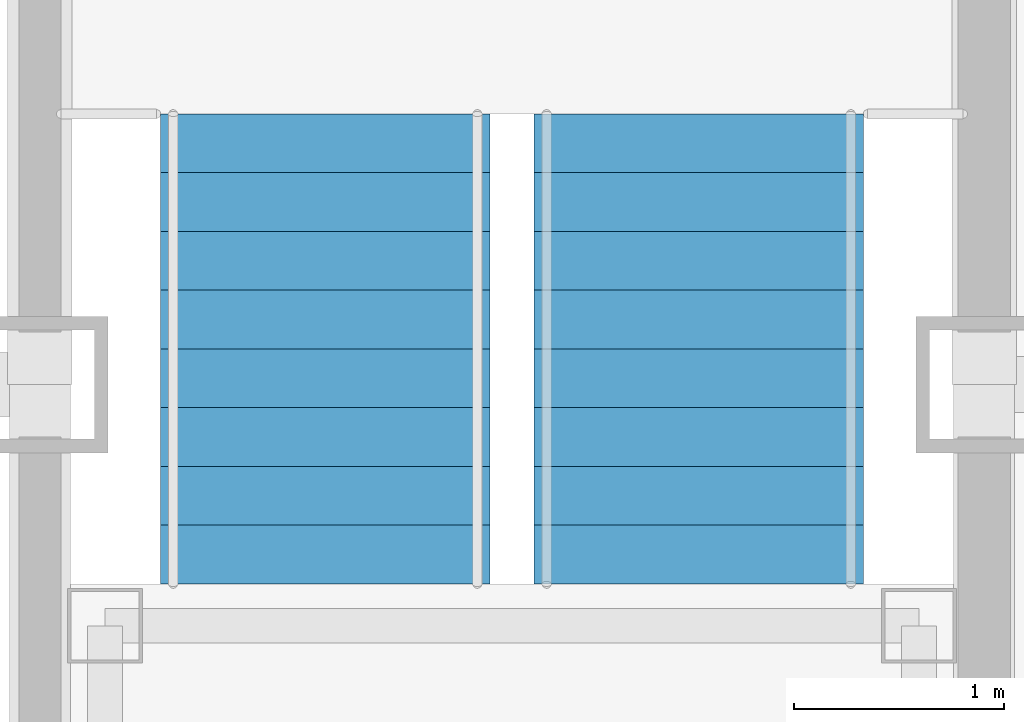
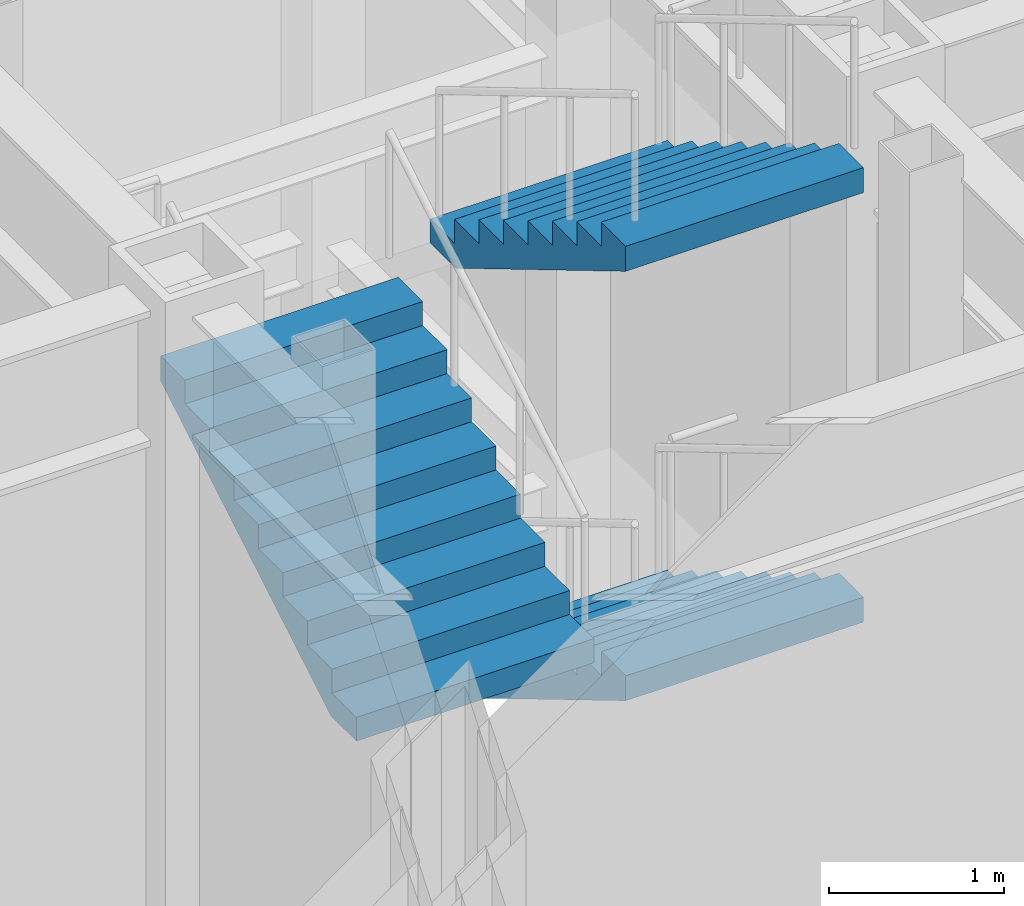
# One storey, part 20 of 28: 3 stair flights, 1 element without a shape of its own.
"""IFC4 building model written with IfcOpenShell, lengths in metres."""

from ifc_helpers import new_model, si_unit, direction, frame, origin, place, context, subcontext, project, spatial, faceted_brep, material, type_object, element, aggregate, save


model = new_model("IFC4")

# Units and contexts
model_context = context("Model", 3, precision=1e-05, world=origin(), true_north=direction((0.0, 1.0)))
body_context = subcontext(model_context, "Body", "Model", "MODEL_VIEW")
ifc_project = project(units=[si_unit("LENGTHUNIT", "METRE"), si_unit("AREAUNIT", "SQUARE_METRE"), si_unit("VOLUMEUNIT", "CUBIC_METRE"), si_unit("PLANEANGLEUNIT", "RADIAN"), si_unit("MASSUNIT", "GRAM", prefix="KILO")], contexts=[model_context])

# Site, building, storey
site_placement = place(None, origin())
site = spatial("IfcSite", under=ifc_project, at=site_placement, CompositionType="ELEMENT")
building_placement = place(site_placement, origin())
building = spatial("IfcBuilding", under=site, at=building_placement, Name="Chuquiago Exchange Tower", CompositionType="ELEMENT")
storey_placement = place(building_placement, frame((0.0, 0.0, 174.0)))
storey = spatial("IfcBuildingStorey", under=building, at=storey_placement, Name="L38", CompositionType="ELEMENT", Elevation=174.0)

# Stair, stair flights
ifc_material_1 = material(Name="Concrete C30/37, precast", Category="concrete")
stair_type = type_object("IfcStairType", Name="ST2 double half-turn stair 6000", PredefinedType="DOUBLE_RETURN_STAIR", material=ifc_material_1)
stair_placement = place(storey_placement, origin())
stair = element("IfcStair", 1, at=stair_placement, inside=storey, type_object=stair_type, Name="Stair ST2 L38", PredefinedType="DOUBLE_RETURN_STAIR")
ifc_material_2 = material(Name="Concrete C30/37, precast", Category="concrete")
stair_flight_type = type_object("IfcStairFlightType", Name="ST-F flight 1570 for 6000 storey", PredefinedType="STRAIGHT", material=ifc_material_2)
stair_flight_1_placement = place(storey_placement, frame((31.639892578125, 25.2900390625, 1.5), z_axis=(0.0, 0.0, 1.0), x_axis=(0.0, -1.0, 0.0)))
stair_flight_1 = element("IfcStairFlight", 2, at=stair_flight_1_placement, type_object=stair_flight_type, Name="ST2 flight 2", NumberOfRisers=9, NumberOfTreads=8, PredefinedType="STRAIGHT", RiserHeight=0.166666667, TreadLength=0.28, context=body_context, shape_type="Brep", body=[
    faceted_brep([(0.0, 0.78515625, 0.0), (0.0, 0.78515625, 0.166748046875), (0.280029296875, 0.78515625, 0.166748046875), (0.280029296875, 0.78515625, 0.333251953125), (0.56005859375, 0.78515625, 0.333251953125), (0.56005859375, 0.78515625, 0.5), (0.840087890625, 0.78515625, 0.5), (0.840087890625, 0.78515625, 0.666748046875), (1.1201171875, 0.78515625, 0.666748046875), (1.1201171875, 0.78515625, 0.833251953125), (1.39990234375, 0.78515625, 0.833251953125), (1.39990234375, 0.78515625, 1.0), (1.679931640625, 0.78515625, 1.0), (1.679931640625, 0.78515625, 1.166748046875), (1.9599609375, 0.78515625, 1.166748046875), (1.9599609375, 0.78515625, 1.333251953125), (2.239990234375, 0.78515625, 1.333251953125), (2.239990234375, 0.78515625, 1.158935546875), (0.29296875, 0.78515625, 0.0), (0.29296875, -0.78515625, 0.0), (2.239990234375, -0.78515625, 1.158935546875), (2.239990234375, -0.78515625, 1.333251953125), (1.9599609375, -0.78515625, 1.333251953125), (1.9599609375, -0.78515625, 1.166748046875), (1.679931640625, -0.78515625, 1.166748046875), (1.679931640625, -0.78515625, 1.0), (1.39990234375, -0.78515625, 1.0), (1.39990234375, -0.78515625, 0.833251953125), (1.1201171875, -0.78515625, 0.833251953125), (1.1201171875, -0.78515625, 0.666748046875), (0.840087890625, -0.78515625, 0.666748046875), (0.840087890625, -0.78515625, 0.5), (0.56005859375, -0.78515625, 0.5), (0.56005859375, -0.78515625, 0.333251953125), (0.280029296875, -0.78515625, 0.333251953125), (0.280029296875, -0.78515625, 0.166748046875), (0.0, -0.78515625, 0.166748046875), (0.0, -0.78515625, 0.0), (0.0, 0.392578125, 0.0), (0.0, 0.392578125, 0.166748046875), (0.0, 0.0, 0.0), (0.0, 0.0, 0.166748046875), (0.0, -0.392578125, 0.0), (0.0, -0.392578125, 0.166748046875), (0.280029296875, 0.392578125, 0.166748046875), (0.280029296875, 0.0, 0.166748046875), (0.280029296875, -0.392578125, 0.166748046875), (0.280029296875, 0.392578125, 0.333251953125), (0.280029296875, 0.0, 0.333251953125), (0.280029296875, -0.392578125, 0.333251953125), (0.56005859375, 0.392578125, 0.333251953125), (0.56005859375, 0.0, 0.333251953125), (0.56005859375, -0.392578125, 0.333251953125), (0.56005859375, 0.392578125, 0.5), (0.56005859375, 0.0, 0.5), (0.56005859375, -0.392578125, 0.5), (0.840087890625, 0.392578125, 0.5), (0.840087890625, 0.0, 0.5), (0.840087890625, -0.392578125, 0.5), (0.840087890625, 0.392578125, 0.666748046875), (0.840087890625, 0.0, 0.666748046875), (0.840087890625, -0.392578125, 0.666748046875), (1.1201171875, 0.392578125, 0.666748046875), (1.1201171875, 0.0, 0.666748046875), (1.1201171875, -0.392578125, 0.666748046875), (1.1201171875, 0.392578125, 0.833251953125), (1.1201171875, 0.0, 0.833251953125), (1.1201171875, -0.392578125, 0.833251953125), (1.39990234375, 0.392578125, 0.833251953125), (1.39990234375, 0.0, 0.833251953125), (1.39990234375, -0.392578125, 0.833251953125), (1.39990234375, 0.392578125, 1.0), (1.39990234375, 0.0, 1.0), (1.39990234375, -0.392578125, 1.0), (1.679931640625, 0.392578125, 1.0), (1.679931640625, 0.0, 1.0), (1.679931640625, -0.392578125, 1.0), (1.679931640625, 0.392578125, 1.166748046875), (1.679931640625, 0.0, 1.166748046875), (1.679931640625, -0.392578125, 1.166748046875), (1.9599609375, 0.392578125, 1.166748046875), (1.9599609375, 0.0, 1.166748046875), (1.9599609375, -0.392578125, 1.166748046875), (1.9599609375, 0.392578125, 1.333251953125), (1.9599609375, 0.0, 1.333251953125), (1.9599609375, -0.392578125, 1.333251953125), (2.239990234375, 0.392578125, 1.333251953125), (2.239990234375, 0.0, 1.333251953125), (2.239990234375, -0.392578125, 1.333251953125), (2.239990234375, 0.392578125, 1.158935546875), (2.239990234375, 0.0, 1.158935546875), (2.239990234375, -0.392578125, 1.158935546875), (0.29296875, 0.392578125, 0.0), (0.29296875, 0.0, 0.0), (0.29296875, -0.392578125, 0.0)], [[[0, 1, 2, 3, 4, 5, 6, 7, 8, 9, 10, 11, 12, 13, 14, 15, 16, 17, 18]], [[19, 20, 21, 22, 23, 24, 25, 26, 27, 28, 29, 30, 31, 32, 33, 34, 35, 36, 37]], [[1, 0, 38, 39]], [[39, 38, 40, 41]], [[41, 40, 42, 43]], [[43, 42, 37, 36]], [[2, 1, 39, 44]], [[44, 39, 41, 45]], [[45, 41, 43, 46]], [[46, 43, 36, 35]], [[3, 2, 44, 47]], [[47, 44, 45, 48]], [[48, 45, 46, 49]], [[49, 46, 35, 34]], [[4, 3, 47, 50]], [[50, 47, 48, 51]], [[51, 48, 49, 52]], [[52, 49, 34, 33]], [[5, 4, 50, 53]], [[53, 50, 51, 54]], [[54, 51, 52, 55]], [[55, 52, 33, 32]], [[6, 5, 53, 56]], [[56, 53, 54, 57]], [[57, 54, 55, 58]], [[58, 55, 32, 31]], [[7, 6, 56, 59]], [[59, 56, 57, 60]], [[60, 57, 58, 61]], [[61, 58, 31, 30]], [[8, 7, 59, 62]], [[62, 59, 60, 63]], [[63, 60, 61, 64]], [[64, 61, 30, 29]], [[9, 8, 62, 65]], [[65, 62, 63, 66]], [[66, 63, 64, 67]], [[67, 64, 29, 28]], [[10, 9, 65, 68]], [[68, 65, 66, 69]], [[69, 66, 67, 70]], [[70, 67, 28, 27]], [[11, 10, 68, 71]], [[71, 68, 69, 72]], [[72, 69, 70, 73]], [[73, 70, 27, 26]], [[12, 11, 71, 74]], [[74, 71, 72, 75]], [[75, 72, 73, 76]], [[76, 73, 26, 25]], [[13, 12, 74, 77]], [[77, 74, 75, 78]], [[78, 75, 76, 79]], [[79, 76, 25, 24]], [[14, 13, 77, 80]], [[80, 77, 78, 81]], [[81, 78, 79, 82]], [[82, 79, 24, 23]], [[15, 14, 80, 83]], [[83, 80, 81, 84]], [[84, 81, 82, 85]], [[85, 82, 23, 22]], [[16, 15, 83, 86]], [[86, 83, 84, 87]], [[87, 84, 85, 88]], [[88, 85, 22, 21]], [[17, 16, 86, 89]], [[89, 86, 87, 90]], [[90, 87, 88, 91]], [[91, 88, 21, 20]], [[18, 17, 89, 92]], [[92, 89, 90, 93]], [[93, 90, 91, 94]], [[94, 91, 20, 19]], [[0, 18, 92, 38]], [[38, 92, 93, 40]], [[40, 93, 94, 42]], [[42, 94, 19, 37]]]),
])
stair_flight_2_placement = place(storey_placement, frame((29.860107421875, 23.050048828125, 3.0), z_axis=(0.0, 0.0, 1.0), x_axis=(0.0, 1.0, 0.0)))
stair_flight_2 = element("IfcStairFlight", 3, at=stair_flight_2_placement, type_object=stair_flight_type, Name="ST2 flight 3", NumberOfRisers=9, NumberOfTreads=8, PredefinedType="STRAIGHT", RiserHeight=0.166666667, TreadLength=0.28, context=body_context, shape_type="Brep", body=[
    faceted_brep([(0.0, 0.78515625, 0.0), (0.0, 0.78515625, 0.166748046875), (0.280029296875, 0.78515625, 0.166748046875), (0.280029296875, 0.78515625, 0.333251953125), (0.56005859375, 0.78515625, 0.333251953125), (0.56005859375, 0.78515625, 0.5), (0.840087890625, 0.78515625, 0.5), (0.840087890625, 0.78515625, 0.666748046875), (1.1201171875, 0.78515625, 0.666748046875), (1.1201171875, 0.78515625, 0.833251953125), (1.39990234375, 0.78515625, 0.833251953125), (1.39990234375, 0.78515625, 1.0), (1.679931640625, 0.78515625, 1.0), (1.679931640625, 0.78515625, 1.166748046875), (1.9599609375, 0.78515625, 1.166748046875), (1.9599609375, 0.78515625, 1.333251953125), (2.239990234375, 0.78515625, 1.333251953125), (2.239990234375, 0.78515625, 1.158935546875), (0.29296875, 0.78515625, 0.0), (0.29296875, -0.78515625, 0.0), (2.239990234375, -0.78515625, 1.158935546875), (2.239990234375, -0.78515625, 1.333251953125), (1.9599609375, -0.78515625, 1.333251953125), (1.9599609375, -0.78515625, 1.166748046875), (1.679931640625, -0.78515625, 1.166748046875), (1.679931640625, -0.78515625, 1.0), (1.39990234375, -0.78515625, 1.0), (1.39990234375, -0.78515625, 0.833251953125), (1.1201171875, -0.78515625, 0.833251953125), (1.1201171875, -0.78515625, 0.666748046875), (0.840087890625, -0.78515625, 0.666748046875), (0.840087890625, -0.78515625, 0.5), (0.56005859375, -0.78515625, 0.5), (0.56005859375, -0.78515625, 0.333251953125), (0.280029296875, -0.78515625, 0.333251953125), (0.280029296875, -0.78515625, 0.166748046875), (0.0, -0.78515625, 0.166748046875), (0.0, -0.78515625, 0.0), (0.0, 0.392578125, 0.0), (0.0, 0.392578125, 0.166748046875), (0.0, 0.0, 0.0), (0.0, 0.0, 0.166748046875), (0.0, -0.392578125, 0.0), (0.0, -0.392578125, 0.166748046875), (0.280029296875, 0.392578125, 0.166748046875), (0.280029296875, 0.0, 0.166748046875), (0.280029296875, -0.392578125, 0.166748046875), (0.280029296875, 0.392578125, 0.333251953125), (0.280029296875, 0.0, 0.333251953125), (0.280029296875, -0.392578125, 0.333251953125), (0.56005859375, 0.392578125, 0.333251953125), (0.56005859375, 0.0, 0.333251953125), (0.56005859375, -0.392578125, 0.333251953125), (0.56005859375, 0.392578125, 0.5), (0.56005859375, 0.0, 0.5), (0.56005859375, -0.392578125, 0.5), (0.840087890625, 0.392578125, 0.5), (0.840087890625, 0.0, 0.5), (0.840087890625, -0.392578125, 0.5), (0.840087890625, 0.392578125, 0.666748046875), (0.840087890625, 0.0, 0.666748046875), (0.840087890625, -0.392578125, 0.666748046875), (1.1201171875, 0.392578125, 0.666748046875), (1.1201171875, 0.0, 0.666748046875), (1.1201171875, -0.392578125, 0.666748046875), (1.1201171875, 0.392578125, 0.833251953125), (1.1201171875, 0.0, 0.833251953125), (1.1201171875, -0.392578125, 0.833251953125), (1.39990234375, 0.392578125, 0.833251953125), (1.39990234375, 0.0, 0.833251953125), (1.39990234375, -0.392578125, 0.833251953125), (1.39990234375, 0.392578125, 1.0), (1.39990234375, 0.0, 1.0), (1.39990234375, -0.392578125, 1.0), (1.679931640625, 0.392578125, 1.0), (1.679931640625, 0.0, 1.0), (1.679931640625, -0.392578125, 1.0), (1.679931640625, 0.392578125, 1.166748046875), (1.679931640625, 0.0, 1.166748046875), (1.679931640625, -0.392578125, 1.166748046875), (1.9599609375, 0.392578125, 1.166748046875), (1.9599609375, 0.0, 1.166748046875), (1.9599609375, -0.392578125, 1.166748046875), (1.9599609375, 0.392578125, 1.333251953125), (1.9599609375, 0.0, 1.333251953125), (1.9599609375, -0.392578125, 1.333251953125), (2.239990234375, 0.392578125, 1.333251953125), (2.239990234375, 0.0, 1.333251953125), (2.239990234375, -0.392578125, 1.333251953125), (2.239990234375, 0.392578125, 1.158935546875), (2.239990234375, 0.0, 1.158935546875), (2.239990234375, -0.392578125, 1.158935546875), (0.29296875, 0.392578125, 0.0), (0.29296875, 0.0, 0.0), (0.29296875, -0.392578125, 0.0)], [[[0, 1, 2, 3, 4, 5, 6, 7, 8, 9, 10, 11, 12, 13, 14, 15, 16, 17, 18]], [[19, 20, 21, 22, 23, 24, 25, 26, 27, 28, 29, 30, 31, 32, 33, 34, 35, 36, 37]], [[1, 0, 38, 39]], [[39, 38, 40, 41]], [[41, 40, 42, 43]], [[43, 42, 37, 36]], [[2, 1, 39, 44]], [[44, 39, 41, 45]], [[45, 41, 43, 46]], [[46, 43, 36, 35]], [[3, 2, 44, 47]], [[47, 44, 45, 48]], [[48, 45, 46, 49]], [[49, 46, 35, 34]], [[4, 3, 47, 50]], [[50, 47, 48, 51]], [[51, 48, 49, 52]], [[52, 49, 34, 33]], [[5, 4, 50, 53]], [[53, 50, 51, 54]], [[54, 51, 52, 55]], [[55, 52, 33, 32]], [[6, 5, 53, 56]], [[56, 53, 54, 57]], [[57, 54, 55, 58]], [[58, 55, 32, 31]], [[7, 6, 56, 59]], [[59, 56, 57, 60]], [[60, 57, 58, 61]], [[61, 58, 31, 30]], [[8, 7, 59, 62]], [[62, 59, 60, 63]], [[63, 60, 61, 64]], [[64, 61, 30, 29]], [[9, 8, 62, 65]], [[65, 62, 63, 66]], [[66, 63, 64, 67]], [[67, 64, 29, 28]], [[10, 9, 65, 68]], [[68, 65, 66, 69]], [[69, 66, 67, 70]], [[70, 67, 28, 27]], [[11, 10, 68, 71]], [[71, 68, 69, 72]], [[72, 69, 70, 73]], [[73, 70, 27, 26]], [[12, 11, 71, 74]], [[74, 71, 72, 75]], [[75, 72, 73, 76]], [[76, 73, 26, 25]], [[13, 12, 74, 77]], [[77, 74, 75, 78]], [[78, 75, 76, 79]], [[79, 76, 25, 24]], [[14, 13, 77, 80]], [[80, 77, 78, 81]], [[81, 78, 79, 82]], [[82, 79, 24, 23]], [[15, 14, 80, 83]], [[83, 80, 81, 84]], [[84, 81, 82, 85]], [[85, 82, 23, 22]], [[16, 15, 83, 86]], [[86, 83, 84, 87]], [[87, 84, 85, 88]], [[88, 85, 22, 21]], [[17, 16, 86, 89]], [[89, 86, 87, 90]], [[90, 87, 88, 91]], [[91, 88, 21, 20]], [[18, 17, 89, 92]], [[92, 89, 90, 93]], [[93, 90, 91, 94]], [[94, 91, 20, 19]], [[0, 18, 92, 38]], [[38, 92, 93, 40]], [[40, 93, 94, 42]], [[42, 94, 19, 37]]]),
])
stair_flight_3_placement = place(storey_placement, frame((31.639892578125, 25.2900390625, 4.5), z_axis=(0.0, 0.0, 1.0), x_axis=(0.0, -1.0, 0.0)))
stair_flight_3 = element("IfcStairFlight", 4, at=stair_flight_3_placement, type_object=stair_flight_type, Name="ST2 flight 4", NumberOfRisers=9, NumberOfTreads=8, PredefinedType="STRAIGHT", RiserHeight=0.166666667, TreadLength=0.28, context=body_context, shape_type="Brep", body=[
    faceted_brep([(0.0, 0.78515625, 0.0), (0.0, 0.78515625, 0.166748046875), (0.280029296875, 0.78515625, 0.166748046875), (0.280029296875, 0.78515625, 0.333251953125), (0.56005859375, 0.78515625, 0.333251953125), (0.56005859375, 0.78515625, 0.5), (0.840087890625, 0.78515625, 0.5), (0.840087890625, 0.78515625, 0.666748046875), (1.1201171875, 0.78515625, 0.666748046875), (1.1201171875, 0.78515625, 0.833251953125), (1.39990234375, 0.78515625, 0.833251953125), (1.39990234375, 0.78515625, 1.0), (1.679931640625, 0.78515625, 1.0), (1.679931640625, 0.78515625, 1.166748046875), (1.9599609375, 0.78515625, 1.166748046875), (1.9599609375, 0.78515625, 1.333251953125), (2.239990234375, 0.78515625, 1.333251953125), (2.239990234375, 0.78515625, 1.158935546875), (0.29296875, 0.78515625, 0.0), (0.29296875, -0.78515625, 0.0), (2.239990234375, -0.78515625, 1.158935546875), (2.239990234375, -0.78515625, 1.333251953125), (1.9599609375, -0.78515625, 1.333251953125), (1.9599609375, -0.78515625, 1.166748046875), (1.679931640625, -0.78515625, 1.166748046875), (1.679931640625, -0.78515625, 1.0), (1.39990234375, -0.78515625, 1.0), (1.39990234375, -0.78515625, 0.833251953125), (1.1201171875, -0.78515625, 0.833251953125), (1.1201171875, -0.78515625, 0.666748046875), (0.840087890625, -0.78515625, 0.666748046875), (0.840087890625, -0.78515625, 0.5), (0.56005859375, -0.78515625, 0.5), (0.56005859375, -0.78515625, 0.333251953125), (0.280029296875, -0.78515625, 0.333251953125), (0.280029296875, -0.78515625, 0.166748046875), (0.0, -0.78515625, 0.166748046875), (0.0, -0.78515625, 0.0), (0.0, 0.392578125, 0.0), (0.0, 0.392578125, 0.166748046875), (0.0, 0.0, 0.0), (0.0, 0.0, 0.166748046875), (0.0, -0.392578125, 0.0), (0.0, -0.392578125, 0.166748046875), (0.280029296875, 0.392578125, 0.166748046875), (0.280029296875, 0.0, 0.166748046875), (0.280029296875, -0.392578125, 0.166748046875), (0.280029296875, 0.392578125, 0.333251953125), (0.280029296875, 0.0, 0.333251953125), (0.280029296875, -0.392578125, 0.333251953125), (0.56005859375, 0.392578125, 0.333251953125), (0.56005859375, 0.0, 0.333251953125), (0.56005859375, -0.392578125, 0.333251953125), (0.56005859375, 0.392578125, 0.5), (0.56005859375, 0.0, 0.5), (0.56005859375, -0.392578125, 0.5), (0.840087890625, 0.392578125, 0.5), (0.840087890625, 0.0, 0.5), (0.840087890625, -0.392578125, 0.5), (0.840087890625, 0.392578125, 0.666748046875), (0.840087890625, 0.0, 0.666748046875), (0.840087890625, -0.392578125, 0.666748046875), (1.1201171875, 0.392578125, 0.666748046875), (1.1201171875, 0.0, 0.666748046875), (1.1201171875, -0.392578125, 0.666748046875), (1.1201171875, 0.392578125, 0.833251953125), (1.1201171875, 0.0, 0.833251953125), (1.1201171875, -0.392578125, 0.833251953125), (1.39990234375, 0.392578125, 0.833251953125), (1.39990234375, 0.0, 0.833251953125), (1.39990234375, -0.392578125, 0.833251953125), (1.39990234375, 0.392578125, 1.0), (1.39990234375, 0.0, 1.0), (1.39990234375, -0.392578125, 1.0), (1.679931640625, 0.392578125, 1.0), (1.679931640625, 0.0, 1.0), (1.679931640625, -0.392578125, 1.0), (1.679931640625, 0.392578125, 1.166748046875), (1.679931640625, 0.0, 1.166748046875), (1.679931640625, -0.392578125, 1.166748046875), (1.9599609375, 0.392578125, 1.166748046875), (1.9599609375, 0.0, 1.166748046875), (1.9599609375, -0.392578125, 1.166748046875), (1.9599609375, 0.392578125, 1.333251953125), (1.9599609375, 0.0, 1.333251953125), (1.9599609375, -0.392578125, 1.333251953125), (2.239990234375, 0.392578125, 1.333251953125), (2.239990234375, 0.0, 1.333251953125), (2.239990234375, -0.392578125, 1.333251953125), (2.239990234375, 0.392578125, 1.158935546875), (2.239990234375, 0.0, 1.158935546875), (2.239990234375, -0.392578125, 1.158935546875), (0.29296875, 0.392578125, 0.0), (0.29296875, 0.0, 0.0), (0.29296875, -0.392578125, 0.0)], [[[0, 1, 2, 3, 4, 5, 6, 7, 8, 9, 10, 11, 12, 13, 14, 15, 16, 17, 18]], [[19, 20, 21, 22, 23, 24, 25, 26, 27, 28, 29, 30, 31, 32, 33, 34, 35, 36, 37]], [[1, 0, 38, 39]], [[39, 38, 40, 41]], [[41, 40, 42, 43]], [[43, 42, 37, 36]], [[2, 1, 39, 44]], [[44, 39, 41, 45]], [[45, 41, 43, 46]], [[46, 43, 36, 35]], [[3, 2, 44, 47]], [[47, 44, 45, 48]], [[48, 45, 46, 49]], [[49, 46, 35, 34]], [[4, 3, 47, 50]], [[50, 47, 48, 51]], [[51, 48, 49, 52]], [[52, 49, 34, 33]], [[5, 4, 50, 53]], [[53, 50, 51, 54]], [[54, 51, 52, 55]], [[55, 52, 33, 32]], [[6, 5, 53, 56]], [[56, 53, 54, 57]], [[57, 54, 55, 58]], [[58, 55, 32, 31]], [[7, 6, 56, 59]], [[59, 56, 57, 60]], [[60, 57, 58, 61]], [[61, 58, 31, 30]], [[8, 7, 59, 62]], [[62, 59, 60, 63]], [[63, 60, 61, 64]], [[64, 61, 30, 29]], [[9, 8, 62, 65]], [[65, 62, 63, 66]], [[66, 63, 64, 67]], [[67, 64, 29, 28]], [[10, 9, 65, 68]], [[68, 65, 66, 69]], [[69, 66, 67, 70]], [[70, 67, 28, 27]], [[11, 10, 68, 71]], [[71, 68, 69, 72]], [[72, 69, 70, 73]], [[73, 70, 27, 26]], [[12, 11, 71, 74]], [[74, 71, 72, 75]], [[75, 72, 73, 76]], [[76, 73, 26, 25]], [[13, 12, 74, 77]], [[77, 74, 75, 78]], [[78, 75, 76, 79]], [[79, 76, 25, 24]], [[14, 13, 77, 80]], [[80, 77, 78, 81]], [[81, 78, 79, 82]], [[82, 79, 24, 23]], [[15, 14, 80, 83]], [[83, 80, 81, 84]], [[84, 81, 82, 85]], [[85, 82, 23, 22]], [[16, 15, 83, 86]], [[86, 83, 84, 87]], [[87, 84, 85, 88]], [[88, 85, 22, 21]], [[17, 16, 86, 89]], [[89, 86, 87, 90]], [[90, 87, 88, 91]], [[91, 88, 21, 20]], [[18, 17, 89, 92]], [[92, 89, 90, 93]], [[93, 90, 91, 94]], [[94, 91, 20, 19]], [[0, 18, 92, 38]], [[38, 92, 93, 40]], [[40, 93, 94, 42]], [[42, 94, 19, 37]]]),
])
aggregate(stair, [stair_flight_1, stair_flight_2, stair_flight_3])

save(model, "model.ifc")
